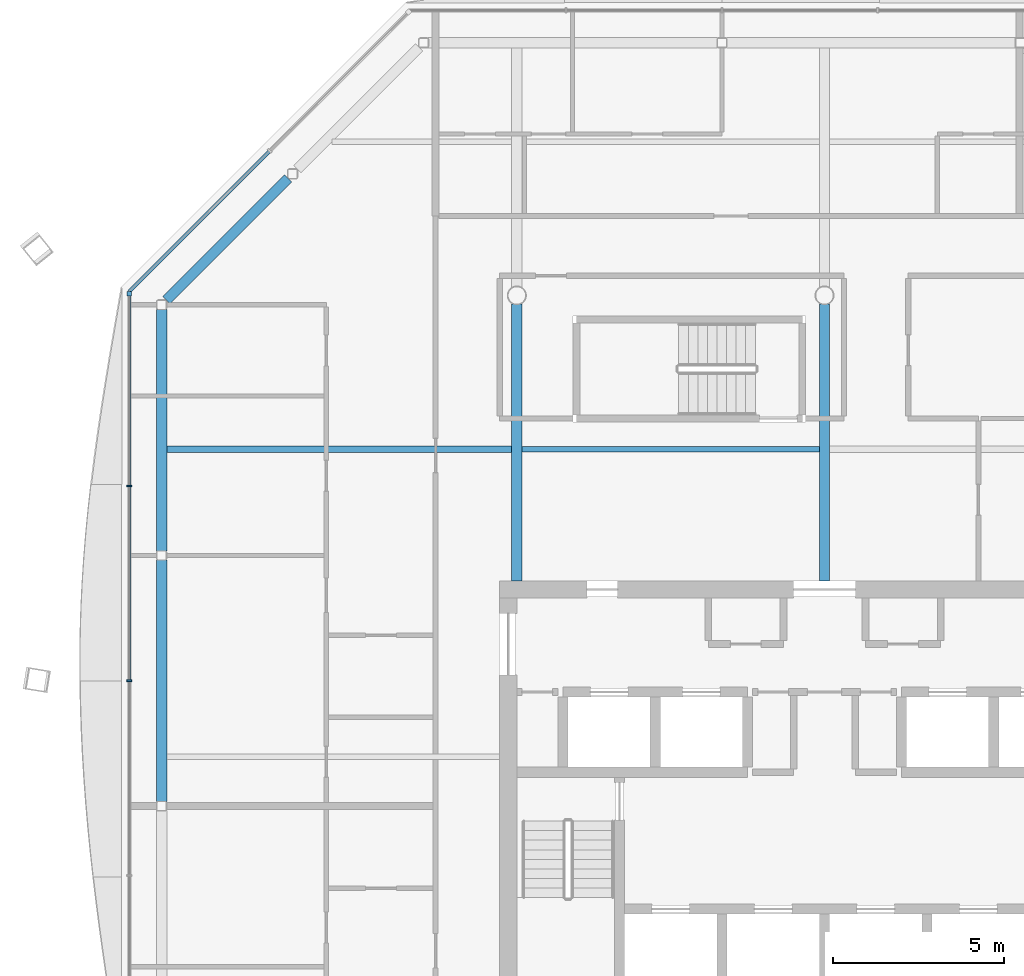
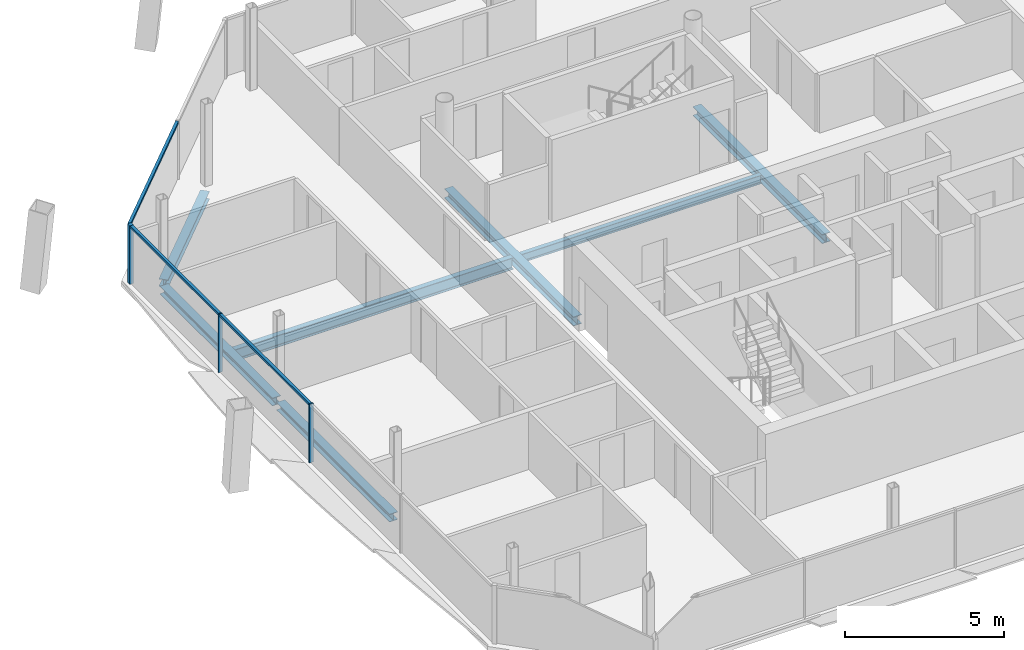
# One storey, part 5 of 16: 7 beams, 6 members, 2 elements without a shape of their own.
"""IFC4 building model written with IfcOpenShell, lengths in metres."""

import ifcopenshell
import ifcopenshell.guid

model = None  # the IFC model being written
_history = None  # IfcOwnerHistory: only IFC2X3 demands one
_inside = {}  # id of a spatial element -> (the spatial element, [elements in it])
_under = {}  # id of a project, library or spatial element -> (it, [spatial elements below it])
_declared = {}  # id of a project -> (the project, [libraries it declares])
_typed = {}  # id of a type object -> (the type object, [elements of that type])
_made_of = {}  # id of a material, layer set ... -> (it, [elements and type objects made of it])


def new_model(schema):
    """Start an empty IFC model of exactly this schema.

    Asked for "IFC4X3", IfcOpenShell would pick the latest addendum, in which some entities
    have other attributes; the version numbers below select the first issue.
    IFC2X3 requires an IfcOwnerHistory on every rooted entity: one is made here for all.
    """
    global model, _history
    if schema == "IFC4X3":
        model = ifcopenshell.file(schema_version=(4, 3, 0, 0))
    else:
        model = ifcopenshell.file(schema=schema)
    _inside.clear()
    _under.clear()
    _declared.clear()
    _typed.clear()
    _made_of.clear()
    _history = None
    if model.schema == "IFC2X3":
        org = make("IfcOrganization", Name="unknown")
        user = make(
            "IfcPersonAndOrganization",
            ThePerson=make("IfcPerson", FamilyName="unknown"),
            TheOrganization=org,
        )
        app = make(
            "IfcApplication",
            ApplicationDeveloper=org,
            Version="unknown",
            ApplicationFullName="unknown",
            ApplicationIdentifier="unknown",
        )
        _history = make(
            "IfcOwnerHistory",
            OwningUser=user,
            OwningApplication=app,
            ChangeAction="ADDED",
            CreationDate=0,
        )
    return model


def make(cls, **values):
    """One entity of the class cls with the attributes given. An attribute that is None is left unset."""
    return model.create_entity(
        cls, **{name: value for name, value in values.items() if value is not None}
    )


def rooted(cls, **values):
    """An entity with a GlobalId (a new one), such as an element, a storey or a relation."""
    return make(cls, GlobalId=ifcopenshell.guid.new(), OwnerHistory=_history, **values)


def si_unit(unit_type, name, prefix=None):
    """IfcSIUnit, for example si_unit("LENGTHUNIT", "METRE", prefix="MILLI")."""
    return make("IfcSIUnit", UnitType=unit_type, Prefix=prefix, Name=name)


def assignment(units):
    """IfcUnitAssignment: the units of a project."""
    return None if units is None else make("IfcUnitAssignment", Units=units)


def point(xyz):
    """IfcCartesianPoint."""
    return None if xyz is None else make("IfcCartesianPoint", Coordinates=xyz)


def direction(xyz):
    """IfcDirection."""
    return None if xyz is None else make("IfcDirection", DirectionRatios=xyz)


def frame(location, z_axis=None, x_axis=None):
    """IfcAxis2Placement3D, a coordinate frame: its origin and axes. An axis left out is left unset."""
    return make(
        "IfcAxis2Placement3D",
        Location=point(location),
        Axis=direction(z_axis),
        RefDirection=direction(x_axis),
    )


def frame_2d(location, x_axis=None):
    """IfcAxis2Placement2D, a coordinate frame in the plane: its origin and x axis."""
    return make(
        "IfcAxis2Placement2D", Location=point(location), RefDirection=direction(x_axis)
    )


def origin():
    """The frame at (0, 0, 0) with its axes left unset."""
    return frame((0.0, 0.0, 0.0))


def origin_2d():
    """The frame at (0, 0) in the plane with its x axis left unset."""
    return frame_2d((0.0, 0.0))


def place(relative_to, where):
    """IfcLocalPlacement: puts the frame where relative to a parent placement (None: the world)."""
    return make(
        "IfcLocalPlacement", PlacementRelTo=relative_to, RelativePlacement=where
    )


def context(
    kind, dimensions, precision=None, world=None, true_north=None, identifier=None
):
    """IfcGeometricRepresentationContext, for example the 3D "Model" context."""
    return make(
        "IfcGeometricRepresentationContext",
        ContextIdentifier=identifier,
        ContextType=kind,
        CoordinateSpaceDimension=dimensions,
        Precision=precision,
        WorldCoordinateSystem=world,
        TrueNorth=true_north,
    )


def subcontext(parent, identifier, kind, view, scale=None):
    """IfcGeometricRepresentationSubContext, for example "Body" below "Model"."""
    return make(
        "IfcGeometricRepresentationSubContext",
        ContextIdentifier=identifier,
        ContextType=kind,
        ParentContext=parent,
        TargetScale=scale,
        TargetView=view,
    )


def project(units=None, contexts=None):
    """IfcProject with its units and contexts."""
    return rooted(
        "IfcProject",
        Name="project",
        RepresentationContexts=contexts,
        UnitsInContext=assignment(units),
    )


def spatial(cls, under=None, at=None, **own):
    """A site, building, storey or space (cls), placed at a placement, below another one or the project."""
    s = rooted(cls, ObjectPlacement=at, **own)
    if under is not None:
        _under.setdefault(under.id(), (under, []))[1].append(s)
    return s


def profile(cls, at=None, kind="AREA", **sizes):
    """A parametric profile (cls). Its sizes go by their IFC names, for example OverallWidth=200.0."""
    return make(cls, ProfileType=kind, Position=at, **sizes)


def rectangle(**sizes):
    """IfcRectangleProfileDef."""
    return profile("IfcRectangleProfileDef", **sizes)


def i_section(**sizes):
    """IfcIShapeProfileDef."""
    return profile("IfcIShapeProfileDef", **sizes)


def extrude(swept, where, along, depth):
    """IfcExtrudedAreaSolid: the profile swept, set in the frame where, extruded along a direction by depth."""
    return make(
        "IfcExtrudedAreaSolid",
        SweptArea=swept,
        Position=where,
        ExtrudedDirection=direction(along),
        Depth=depth,
    )


def shape(context_of_items, identifier, shape_type, items):
    """IfcShapeRepresentation: the items that make up one representation, for example the "Body"."""
    return make(
        "IfcShapeRepresentation",
        ContextOfItems=context_of_items,
        RepresentationIdentifier=identifier,
        RepresentationType=shape_type,
        Items=items,
    )


def material(Name=None, Category=None):
    """IfcMaterial."""
    return make("IfcMaterial", Name=Name, Category=Category)


def material_profile(
    of_material, cross_section, Name=None, Category=None, Priority=None
):
    """IfcMaterialProfile: a cross section and its material."""
    return make(
        "IfcMaterialProfile",
        Name=Name,
        Material=of_material,
        Profile=cross_section,
        Priority=Priority,
        Category=Category,
    )


def profile_set(profiles, Name=None, composite=None):
    """IfcMaterialProfileSet."""
    return make(
        "IfcMaterialProfileSet",
        Name=Name,
        MaterialProfiles=profiles,
        CompositeProfile=composite,
    )


def made_of(thing, what):
    """Note that an element or type object is made of a material, layer set ...; save() writes the relation."""
    if what is not None:
        _made_of.setdefault(what.id(), (what, []))[1].append(thing)
    return thing


def type_object(cls, material=None, **own):
    """A type object (cls), such as IfcWallType, which elements share."""
    return made_of(rooted(cls, **own), material)


def element(
    cls,
    number,
    at=None,
    inside=None,
    cuts=None,
    type_object=None,
    material=None,
    context=None,
    identifier="Body",
    shape_type=None,
    held_by="IfcProductDefinitionShape",
    body=None,
    shapes=None,
    **own,
):
    """One element of the class cls, such as IfcWall. Its Tag is "e" and its number.

    at: its placement. inside: the storey or other place that contains it. cuts: it is an
    opening in that element (IfcRelVoidsElement). A single representation is given by context,
    identifier, shape_type and body (its items); several are given by shapes. held_by: the class
    of the entity that holds the representations. save() writes the other relations.
    """
    e = rooted(cls, Tag="e%d" % number, ObjectPlacement=at, **own)
    if body is not None:
        shapes = [shape(context, identifier, shape_type, body)]
    if shapes is not None:
        e.Representation = make(held_by, Representations=shapes)
    if inside is not None:
        _inside.setdefault(inside.id(), (inside, []))[1].append(e)
    if cuts is not None:
        rooted(
            "IfcRelVoidsElement", RelatingBuildingElement=cuts, RelatedOpeningElement=e
        )
    if type_object is not None:
        _typed.setdefault(type_object.id(), (type_object, []))[1].append(e)
    return made_of(e, material)


def aggregate(whole, parts):
    """IfcRelAggregates: a whole, such as a stair, and the parts it consists of."""
    return rooted("IfcRelAggregates", RelatingObject=whole, RelatedObjects=parts)


def save(model, path):
    """Write the relations noted so far, then the file.

    IfcRelAggregates (storeys below a building ...), IfcRelContainedInSpatialStructure (elements
    in a storey), IfcRelDefinesByType, IfcRelAssociatesMaterial and IfcRelDeclares: one each for
    every whole, place, type object, material and project.
    """
    for whole, parts in _under.values():
        aggregate(whole, parts)
    for where, things in _inside.values():
        rooted(
            "IfcRelContainedInSpatialStructure",
            RelatedElements=things,
            RelatingStructure=where,
        )
    for kind, things in _typed.values():
        rooted("IfcRelDefinesByType", RelatedObjects=things, RelatingType=kind)
    for what, things in _made_of.values():
        rooted("IfcRelAssociatesMaterial", RelatedObjects=things, RelatingMaterial=what)
    for by, libraries in _declared.values():
        rooted("IfcRelDeclares", RelatingContext=by, RelatedDefinitions=libraries)
    model.write(path)


model = new_model("IFC4")

# Units and contexts
model_context = context("Model", 3, precision=1e-05, world=origin(), true_north=direction((0.0, 1.0)))
body_context = subcontext(model_context, "Body", "Model", "MODEL_VIEW")
ifc_project = project(units=[si_unit("LENGTHUNIT", "METRE"), si_unit("AREAUNIT", "SQUARE_METRE"), si_unit("VOLUMEUNIT", "CUBIC_METRE"), si_unit("PLANEANGLEUNIT", "RADIAN"), si_unit("MASSUNIT", "GRAM", prefix="KILO")], contexts=[model_context])

# Site, building, storey
site_placement = place(None, origin())
site = spatial("IfcSite", under=ifc_project, at=site_placement, CompositionType="ELEMENT")
building_placement = place(site_placement, origin())
building = spatial("IfcBuilding", under=site, at=building_placement, Name="Tskaro Facet Tower", CompositionType="ELEMENT")
storey_placement = place(building_placement, frame((0.0, 0.0, 251.85009765625)))
storey = spatial("IfcBuildingStorey", under=building, at=storey_placement, Name="L66", CompositionType="ELEMENT", Elevation=251.85009765625)

# Curtain wall, members
ifc_material_1 = material(Name="Bronze anodised aluminium 6063-T6", Category="aluminium")
curtain_wall_type = type_object("IfcCurtainWallType", Name="Bronze residence curtain wall (FW3)", PredefinedType="NOTDEFINED", material=ifc_material_1)
curtain_wall_1_placement = place(storey_placement, origin())
curtain_wall_1 = element("IfcCurtainWall", 1, at=curtain_wall_1_placement, inside=storey, type_object=curtain_wall_type, Name="FW3 west facet L66", PredefinedType="NOTDEFINED")
ifc_material_profile_1 = material_profile(ifc_material_1, rectangle(XDim=0.139892578125, YDim=0.139892578125, at=origin_2d()), Name="Corner post 140x140")
ifc_profile_set_1 = profile_set([ifc_material_profile_1], Name="Bronze anodised aluminium 6063-T6")
member_type_1 = type_object("IfcMemberType", Name="FW3 bronze corner post 140x140", PredefinedType="MULLION", material=ifc_profile_set_1)
member_1_placement = place(storey_placement, frame((-20.341064453125, 9.048095703125, 0.0), z_axis=(0.0, 0.0, 1.0), x_axis=(0.0, -1.0, 0.0)))
member_1 = element("IfcMember", 2, at=member_1_placement, type_object=member_type_1, Name="FW3 west corner post", PredefinedType="MULLION", context=body_context, shape_type="SweptSolid", body=[
    extrude(rectangle(XDim=0.139892578125, YDim=0.139892578125, at=origin_2d()), origin(), (0.0, 0.0, 1.0), 2.239990234375),
])
ifc_material_profile_2 = material_profile(ifc_material_1, rectangle(XDim=0.050048828125, YDim=0.139892578125, at=origin_2d()), Name="Mullion 50x140")
ifc_profile_set_2 = profile_set([ifc_material_profile_2], Name="Bronze anodised aluminium 6063-T6")
member_type_2 = type_object("IfcMemberType", Name="FW3 bronze mullion 50x140", PredefinedType="MULLION", material=ifc_profile_set_2)
member_2_placement = place(storey_placement, frame((-20.341064453125, 3.42333984375, 0.0), z_axis=(0.0, 0.0, 1.0), x_axis=(0.0, -1.0, 0.0)))
member_2 = element("IfcMember", 3, at=member_2_placement, type_object=member_type_2, Name="FW3 west mullion 1", PredefinedType="MULLION", context=body_context, shape_type="SweptSolid", body=[
    extrude(rectangle(XDim=0.050048828125, YDim=0.139892578125, at=origin_2d()), origin(), (0.0, 0.0, 1.0), 2.239990234375),
])
member_3_placement = place(storey_placement, frame((-20.341064453125, -2.271484375, 0.0), z_axis=(0.0, 0.0, 1.0), x_axis=(0.0, -1.0, 0.0)))
member_3 = element("IfcMember", 4, at=member_3_placement, type_object=member_type_2, Name="FW3 west mullion 2", PredefinedType="MULLION", context=body_context, shape_type="SweptSolid", body=[
    extrude(rectangle(XDim=0.050048828125, YDim=0.139892578125, at=origin_2d()), origin(), (0.0, 0.0, 1.0), 2.239990234375),
])

# Curtain wall, member
curtain_wall_2_placement = place(storey_placement, origin())
curtain_wall_2 = element("IfcCurtainWall", 5, at=curtain_wall_2_placement, inside=storey, type_object=curtain_wall_type, Name="FW3 north-west facet L66", PredefinedType="NOTDEFINED")
ifc_material_profile_3 = material_profile(ifc_material_1, rectangle(XDim=0.10009765625, YDim=0.090087890625, at=origin_2d()), Name="Transom 100x90")
ifc_profile_set_3 = profile_set([ifc_material_profile_3], Name="Bronze anodised aluminium 6063-T6")
member_type_3 = type_object("IfcMemberType", Name="FW3 bronze transom 100x90", PredefinedType="USERDEFINED", material=ifc_profile_set_3)
member_4_placement = place(storey_placement, frame((-16.2470703125, 13.2119140625, 2.19482421875), z_axis=(-0.707106781187, -0.707106781187, 0.0), x_axis=(0.707106781187, -0.707106781187, 0.0)))
member_4 = element("IfcMember", 6, at=member_4_placement, type_object=member_type_3, Name="FW3 north-west transom 2.1", ObjectType="TRANSOM", PredefinedType="USERDEFINED", context=body_context, shape_type="SweptSolid", body=[
    extrude(rectangle(XDim=0.10009765625, YDim=0.090087890625, at=origin_2d()), origin(), (0.0, 0.0, 1.0), 5.789794921875),
])
aggregate(curtain_wall_2, [member_4])

# Member
member_5_placement = place(storey_placement, frame((-20.341064453125, 8.97802734375, 2.19482421875), z_axis=(0.0, -1.0, 0.0), x_axis=(1.0, 0.0, 0.0)))
member_5 = element("IfcMember", 7, at=member_5_placement, type_object=member_type_3, Name="FW3 west transom 1.1", ObjectType="TRANSOM", PredefinedType="USERDEFINED", context=body_context, shape_type="SweptSolid", body=[
    extrude(rectangle(XDim=0.10009765625, YDim=0.090087890625, at=origin_2d()), origin(), (0.0, 0.0, 1.0), 5.52978515625),
])

member_6_placement = place(storey_placement, frame((-20.341064453125, 3.398193359375, 2.19482421875), z_axis=(0.0, -1.0, 0.0), x_axis=(1.0, 0.0, 0.0)))
member_6 = element("IfcMember", 8, at=member_6_placement, type_object=member_type_3, Name="FW3 west transom 2.1", ObjectType="TRANSOM", PredefinedType="USERDEFINED", context=body_context, shape_type="SweptSolid", body=[
    extrude(rectangle(XDim=0.10009765625, YDim=0.090087890625, at=origin_2d()), origin(), (0.0, 0.0, 1.0), 5.644775390625),
])

aggregate(curtain_wall_1, [member_1, member_2, member_3, member_5, member_6])

# Beams
ifc_material_2 = material(Name="Steel S355J2", Category="steel")
ifc_material_profile_4 = material_profile(ifc_material_2, i_section(OverallWidth=0.300048828125, OverallDepth=0.300048828125, WebThickness=0.010986328125, FlangeThickness=0.01904296875, FilletRadius=0.027099609375, at=origin_2d()), Name="HE 300 B")
ifc_profile_set_4 = profile_set([ifc_material_profile_4], Name="Steel S355J2")
beam_type_1 = type_object("IfcBeamType", Name="HE 300 B ring beam", PredefinedType="BEAM", material=ifc_profile_set_4)
beam_1_placement = place(storey_placement, frame((-15.69384765625, 12.422119140625, -0.2900390625), z_axis=(-0.707106781187, -0.707106781187, 0.0), x_axis=(0.707106781187, -0.707106781187, 0.0)))
element("IfcBeam", 9, at=beam_1_placement, inside=storey, type_object=beam_type_1, Name="HE 300 B EB13-5", PredefinedType="BEAM", context=body_context, shape_type="SweptSolid", body=[
    extrude(i_section(OverallWidth=0.300048828125, OverallDepth=0.300048828125, WebThickness=0.010986328125, FlangeThickness=0.01904296875, FilletRadius=0.027099609375, at=origin_2d()), origin(), (0.0, 0.0, 1.0), 5.036376953125),
])
beam_2_placement = place(storey_placement, frame((-19.39111328125, 8.594970703125, -0.2900390625), z_axis=(0.0, -1.0, 0.0), x_axis=(1.0, 0.0, 0.0)))
element("IfcBeam", 10, at=beam_2_placement, inside=storey, type_object=beam_type_1, Name="HE 300 B EB14-5", PredefinedType="BEAM", context=body_context, shape_type="SweptSolid", body=[
    extrude(i_section(OverallWidth=0.300048828125, OverallDepth=0.300048828125, WebThickness=0.010986328125, FlangeThickness=0.01904296875, FilletRadius=0.027099609375, at=origin_2d()), origin(), (0.0, 0.0, 1.0), 7.071044921875),
])
beam_3_placement = place(storey_placement, frame((-19.39111328125, 1.263916015625, -0.2900390625), z_axis=(0.0, -1.0, 0.0), x_axis=(1.0, 0.0, 0.0)))
element("IfcBeam", 11, at=beam_3_placement, inside=storey, type_object=beam_type_1, Name="HE 300 B EB15-5", PredefinedType="BEAM", context=body_context, shape_type="SweptSolid", body=[
    extrude(i_section(OverallWidth=0.300048828125, OverallDepth=0.300048828125, WebThickness=0.010986328125, FlangeThickness=0.01904296875, FilletRadius=0.027099609375, at=origin_2d()), origin(), (0.0, 0.0, 1.0), 7.07080078125),
])
ifc_material_profile_5 = material_profile(ifc_material_2, i_section(OverallWidth=0.300048828125, OverallDepth=0.35009765625, WebThickness=0.010009765625, FlangeThickness=0.017578125, FilletRadius=0.027099609375, at=origin_2d()), Name="HE 360 A")
ifc_profile_set_5 = profile_set([ifc_material_profile_5], Name="Steel S355J2")
beam_type_2 = type_object("IfcBeamType", Name="HE 360 A girder", PredefinedType="BEAM", material=ifc_profile_set_5)
for number, where, z_axis, x_axis, name in (
    (12, (-9.0, 0.64990234375, -0.315185546875), (0.0, 1.0, 0.0), (-1.0, 0.0, 0.0), "HE 360 A GB3-2-5"),
    (13, (0.0, 0.64990234375, -0.315185546875), (0.0, 1.0, 0.0), (-1.0, 0.0, 0.0), "HE 360 A GB4-2-5"),
):
    element("IfcBeam", number, at=place(storey_placement, frame(where, z_axis=z_axis, x_axis=x_axis)), inside=storey, type_object=beam_type_2, Name=name, PredefinedType="BEAM", context=body_context, shape_type="SweptSolid", body=[
        extrude(i_section(OverallWidth=0.300048828125, OverallDepth=0.35009765625, WebThickness=0.010009765625, FlangeThickness=0.017578125, FilletRadius=0.027099609375, at=origin_2d()), origin(), (0.0, 0.0, 1.0), 8.1005859375),
    ])
ifc_material_profile_6 = material_profile(ifc_material_2, i_section(OverallWidth=0.159912109375, OverallDepth=0.330078125, WebThickness=0.007568359375, FlangeThickness=0.011474609375, FilletRadius=0.01806640625, at=origin_2d()), Name="IPE 330")
ifc_profile_set_6 = profile_set([ifc_material_profile_6], Name="Steel S355J2")
beam_type_3 = type_object("IfcBeamType", Name="IPE 330 secondary beam", PredefinedType="BEAM", material=ifc_profile_set_6)
beam_4_placement = place(storey_placement, frame((-8.85009765625, 4.5, -0.30517578125), z_axis=(1.0, 0.0, 0.0), x_axis=(0.0, 1.0, 0.0)))
element("IfcBeam", 14, at=beam_4_placement, inside=storey, type_object=beam_type_3, Name="IPE 330 SB4a-2-5", PredefinedType="BEAM", context=body_context, shape_type="SweptSolid", body=[
    extrude(i_section(OverallWidth=0.159912109375, OverallDepth=0.330078125, WebThickness=0.007568359375, FlangeThickness=0.011474609375, FilletRadius=0.01806640625, at=origin_2d()), origin(), (0.0, 0.0, 1.0), 8.7001953125),
])
ifc_material_profile_7 = material_profile(ifc_material_2, i_section(OverallWidth=0.18994140625, OverallDepth=0.449951171875, WebThickness=0.009521484375, FlangeThickness=0.0146484375, FilletRadius=0.02099609375, at=origin_2d()), Name="IPE 450")
ifc_profile_set_7 = profile_set([ifc_material_profile_7], Name="Steel S355J2")
beam_type_4 = type_object("IfcBeamType", Name="IPE 450 long secondary beam", PredefinedType="BEAM", material=ifc_profile_set_7)
beam_5_placement = place(storey_placement, frame((-19.240966796875, 4.5, -0.364990234375), z_axis=(1.0, 0.0, 0.0), x_axis=(0.0, 1.0, 0.0)))
element("IfcBeam", 15, at=beam_5_placement, inside=storey, type_object=beam_type_4, Name="IPE 450 LSB4a-1-5", PredefinedType="BEAM", context=body_context, shape_type="SweptSolid", body=[
    extrude(i_section(OverallWidth=0.18994140625, OverallDepth=0.449951171875, WebThickness=0.009521484375, FlangeThickness=0.0146484375, FilletRadius=0.02099609375, at=origin_2d()), origin(), (0.0, 0.0, 1.0), 10.091064453125),
])

save(model, "model.ifc")
